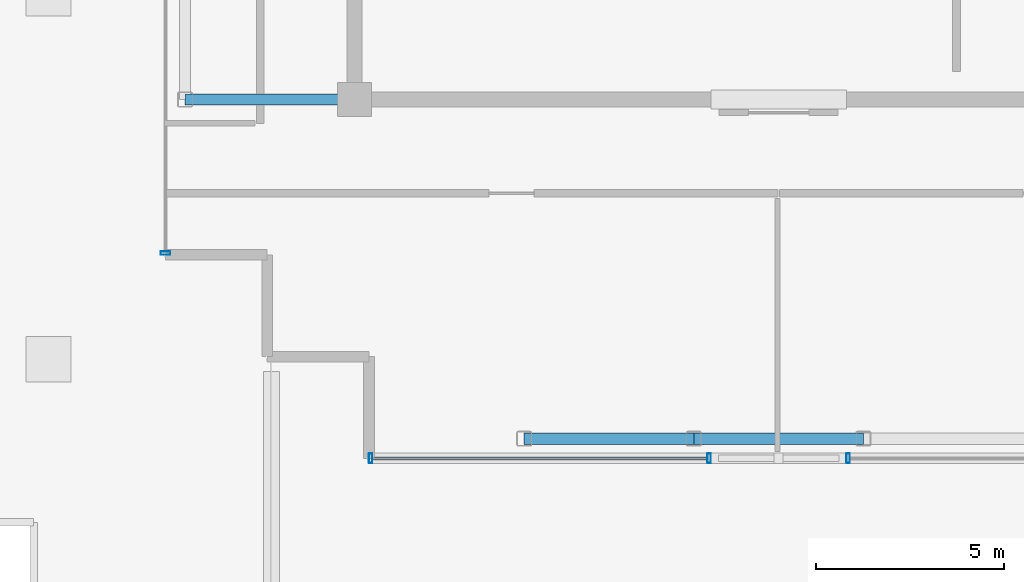
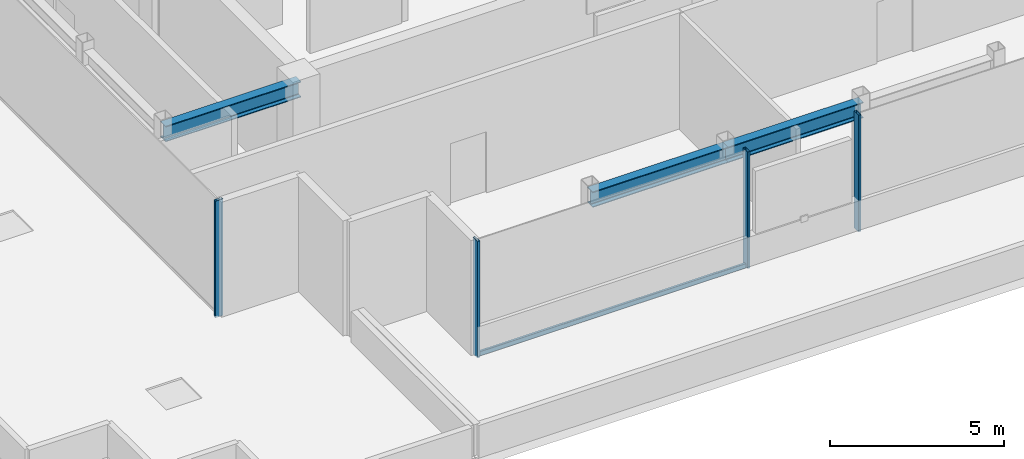
# One storey, part 2 of 14: 5 members, 3 beams, 3 elements without a shape of their own.
"""IFC4 building model written with IfcOpenShell, lengths in metres."""

from ifc_helpers import new_model, si_unit, direction, frame, origin, origin_2d, place, context, subcontext, project, spatial, hollow_rectangle, i_section, extrude, source, transform, mapped, material, layer, layer_set, material_profile, profile_set, type_object, element, aggregate, save


model = new_model("IFC4")

# Units and contexts
model_context = context("Model", 3, precision=1e-05, world=origin(), true_north=direction((0.0, 1.0)))
body_context = subcontext(model_context, "Body", "Model", "MODEL_VIEW")
ifc_project = project(units=[si_unit("LENGTHUNIT", "METRE"), si_unit("AREAUNIT", "SQUARE_METRE"), si_unit("VOLUMEUNIT", "CUBIC_METRE"), si_unit("PLANEANGLEUNIT", "RADIAN"), si_unit("MASSUNIT", "GRAM", prefix="KILO")], contexts=[model_context])

# Site, building, storey
site_placement = place(None, origin())
site = spatial("IfcSite", under=ifc_project, at=site_placement, CompositionType="ELEMENT")
building_placement = place(site_placement, origin())
building = spatial("IfcBuilding", under=site, at=building_placement, Name="Nefas-Gora Pilgrimage Tower", CompositionType="ELEMENT")
storey_placement = place(building_placement, frame((0.0, 0.0, 358.60009765625)))
storey = spatial("IfcBuildingStorey", under=building, at=storey_placement, Name="L90", CompositionType="ELEMENT", Elevation=358.60009765625)

# Beams
ifc_material_1 = material(Name="Steel S355", Category="steel")
ifc_material_profile_1 = material_profile(ifc_material_1, i_section(OverallWidth=0.300048828125, OverallDepth=0.550048828125, WebThickness=0.014892578125, FlangeThickness=0.029052734375, FilletRadius=0.027099609375, at=origin_2d()), Name="HEB 550")
ifc_profile_set_1 = profile_set([ifc_material_profile_1], Name="Steel S355")
beam_type_1 = type_object("IfcBeamType", Name="BM-SPN-HEB400", PredefinedType="SPANDREL", material=ifc_profile_set_1)
shared_shape_1 = source(origin(), body_context, "Body", "SweptSolid", [
    extrude(i_section(OverallWidth=0.300048828125, OverallDepth=0.550048828125, WebThickness=0.014892578125, FlangeThickness=0.029052734375, FilletRadius=0.027099609375, at=origin_2d()), origin(), (0.0, 0.0, 1.0), 4.5),
])
for number, where, z_axis, x_axis, name in (
    (1, (-6.75, -18.0, 3.824951171875), (1.0, 0.0, 0.0), (0.0, 1.0, 0.0), "L90 SP-04 beam"),
    (2, (-2.25, -18.0, 3.824951171875), (1.0, 0.0, 0.0), (0.0, 1.0, 0.0), "L90 SP-04 beam"),
):
    element("IfcBeam", number, at=place(storey_placement, frame(where, z_axis=z_axis, x_axis=x_axis)), inside=storey, type_object=beam_type_1, Name=name, PredefinedType="SPANDREL", context=body_context, shape_type="MappedRepresentation", body=[
        mapped(shared_shape_1, transform((0.0, 0.0, 0.0), x_axis=(1.0, 0.0, 0.0), y_axis=(0.0, 1.0, 0.0), z_axis=(0.0, 0.0, 1.0), scale=1.0)),
    ])
ifc_material_profile_2 = material_profile(ifc_material_1, i_section(OverallWidth=0.300048828125, OverallDepth=0.550048828125, WebThickness=0.014892578125, FlangeThickness=0.029052734375, FilletRadius=0.027099609375, at=origin_2d()), Name="HEB 550")
ifc_profile_set_2 = profile_set([ifc_material_profile_2], Name="Steel S355")
beam_type_2 = type_object("IfcBeamType", Name="BM-GIR-HEB550", PredefinedType="BEAM", material=ifc_profile_set_2)
shared_shape_2 = source(origin(), body_context, "Body", "SweptSolid", [
    extrude(i_section(OverallWidth=0.300048828125, OverallDepth=0.550048828125, WebThickness=0.014892578125, FlangeThickness=0.029052734375, FilletRadius=0.027099609375, at=origin_2d()), origin(), (0.0, 0.0, 1.0), 4.5),
])
beam_placement = place(storey_placement, frame((-15.75, -9.0, 3.824951171875), z_axis=(1.0, 0.0, 0.0), x_axis=(0.0, 1.0, 0.0)))
element("IfcBeam", 3, at=beam_placement, inside=storey, type_object=beam_type_2, Name="L90 G-05 beam", PredefinedType="BEAM", context=body_context, shape_type="MappedRepresentation", body=[
    mapped(shared_shape_2, transform((0.0, 0.0, 0.0), x_axis=(1.0, 0.0, 0.0), y_axis=(0.0, 1.0, 0.0), z_axis=(0.0, 0.0, 1.0), scale=1.0)),
])

# Curtain wall, member
ifc_material_2 = material(Name="Dark ceramic-fritted solar-control aluminium-glass curtain wall", Category="aluminium")
ifc_layer = layer(ifc_material_2, 0.219970703125)
ifc_layer_set = layer_set([ifc_layer], Name="Dark ceramic-fritted solar-control aluminium-glass curtain wall")
curtain_wall_type = type_object("IfcCurtainWallType", Name="CW-SYS-6", PredefinedType="NOTDEFINED", material=ifc_layer_set)
curtain_wall_1_placement = place(storey_placement, origin())
curtain_wall_1 = element("IfcCurtainWall", 4, at=curtain_wall_1_placement, inside=storey, type_object=curtain_wall_type, Name="L90 Unitised Curtain Wall CW6", PredefinedType="NOTDEFINED")
ifc_material_3 = material(Name="Anodised architectural aluminium", Category="aluminium")
ifc_material_profile_3 = material_profile(ifc_material_3, hollow_rectangle(XDim=0.090087890625, YDim=0.260009765625, WallThickness=0.006103515625, InnerFilletRadius=0.006103515625, OuterFilletRadius=0.011962890625, at=origin_2d()), Name="ALU MULLION 90x260")
ifc_profile_set_3 = profile_set([ifc_material_profile_3], Name="Anodised architectural aluminium")
member_type_1 = type_object("IfcMemberType", Name="CWM-MUL-6", PredefinedType="MULLION", material=ifc_profile_set_3)
shared_shape_3 = source(origin(), body_context, "Body", "SweptSolid", [
    extrude(hollow_rectangle(XDim=0.090087890625, YDim=0.260009765625, WallThickness=0.006103515625, InnerFilletRadius=0.006103515625, OuterFilletRadius=0.011962890625, at=origin_2d()), origin(), (0.0, 0.0, 1.0), 4.099853515625),
])
member_1_placement = place(storey_placement, frame((-16.27001953125, -13.074951171875, 0.0), z_axis=(0.0, 0.0, 1.0), x_axis=(0.0, -1.0, 0.0)))
member_1 = element("IfcMember", 5, at=member_1_placement, type_object=member_type_1, Name="CW6 Mullion 2", PredefinedType="MULLION", context=body_context, shape_type="MappedRepresentation", body=[
    mapped(shared_shape_3, transform((0.0, 0.0, 0.0), x_axis=(1.0, 0.0, 0.0), y_axis=(0.0, 1.0, 0.0), z_axis=(0.0, 0.0, 1.0), scale=1.0)),
])
aggregate(curtain_wall_1, [member_1])

# Curtain wall, members
curtain_wall_2_placement = place(storey_placement, origin())
curtain_wall_2 = element("IfcCurtainWall", 6, at=curtain_wall_2_placement, inside=storey, type_object=curtain_wall_type, Name="L90 Unitised Curtain Wall CW6", PredefinedType="NOTDEFINED")
member_2_placement = place(storey_placement, frame((-10.824951171875, -18.52001953125, 0.0), z_axis=(0.0, 0.0, 1.0), x_axis=(1.0, 0.0, 0.0)))
member_2 = element("IfcMember", 7, at=member_2_placement, type_object=member_type_1, Name="CW6 Mullion 1", PredefinedType="MULLION", context=body_context, shape_type="MappedRepresentation", body=[
    mapped(shared_shape_3, transform((0.0, 0.0, 0.0), x_axis=(1.0, 0.0, 0.0), y_axis=(0.0, 1.0, 0.0), z_axis=(0.0, 0.0, 1.0), scale=1.0)),
])
member_3_placement = place(storey_placement, frame((-1.844970703125, -18.52001953125, 0.0), z_axis=(0.0, 0.0, 1.0), x_axis=(1.0, 0.0, 0.0)))
member_3 = element("IfcMember", 8, at=member_3_placement, type_object=member_type_1, Name="CW6 Mullion 2", PredefinedType="MULLION", context=body_context, shape_type="MappedRepresentation", body=[
    mapped(shared_shape_3, transform((0.0, 0.0, 0.0), x_axis=(1.0, 0.0, 0.0), y_axis=(0.0, 1.0, 0.0), z_axis=(0.0, 0.0, 1.0), scale=1.0)),
])

# Curtain wall, member
curtain_wall_3_placement = place(storey_placement, origin())
curtain_wall_3 = element("IfcCurtainWall", 9, at=curtain_wall_3_placement, inside=storey, type_object=curtain_wall_type, Name="L90 Unitised Curtain Wall CW6", PredefinedType="NOTDEFINED")
member_4_placement = place(storey_placement, frame((1.844970703125, -18.52001953125, 0.0), z_axis=(0.0, 0.0, 1.0), x_axis=(1.0, 0.0, 0.0)))
member_4 = element("IfcMember", 10, at=member_4_placement, type_object=member_type_1, Name="CW6 Mullion 1", PredefinedType="MULLION", context=body_context, shape_type="MappedRepresentation", body=[
    mapped(shared_shape_3, transform((0.0, 0.0, 0.0), x_axis=(1.0, 0.0, 0.0), y_axis=(0.0, 1.0, 0.0), z_axis=(0.0, 0.0, 1.0), scale=1.0)),
])
aggregate(curtain_wall_3, [member_4])

# Member
ifc_material_profile_4 = material_profile(ifc_material_3, hollow_rectangle(XDim=0.080078125, YDim=0.159912109375, WallThickness=0.00439453125, InnerFilletRadius=0.00439453125, OuterFilletRadius=0.009033203125, at=origin_2d()), Name="ALU TRANSOM 80x160")
ifc_profile_set_4 = profile_set([ifc_material_profile_4], Name="Anodised architectural aluminium")
member_type_2 = type_object("IfcMemberType", Name="CWM-TRN-6", PredefinedType="USERDEFINED", material=ifc_profile_set_4)
shared_shape_4 = source(origin(), body_context, "Body", "SweptSolid", [
    extrude(hollow_rectangle(XDim=0.080078125, YDim=0.159912109375, WallThickness=0.00439453125, InnerFilletRadius=0.00439453125, OuterFilletRadius=0.009033203125, at=origin_2d()), origin(), (0.0, 0.0, 1.0), 8.89013671875),
])
member_5_placement = place(storey_placement, frame((-10.780029296875, -18.52001953125, 0.0498046875), z_axis=(1.0, 0.0, 0.0), x_axis=(0.0, 1.0, 0.0)))
member_5 = element("IfcMember", 11, at=member_5_placement, type_object=member_type_2, Name="CW6 Spandrel Transom", ObjectType="TRANSOM", PredefinedType="USERDEFINED", context=body_context, shape_type="MappedRepresentation", body=[
    mapped(shared_shape_4, transform((0.0, 0.0, 0.0), x_axis=(1.0, 0.0, 0.0), y_axis=(0.0, 1.0, 0.0), z_axis=(0.0, 0.0, 1.0), scale=1.0)),
])

aggregate(curtain_wall_2, [member_2, member_3, member_5])

save(model, "model.ifc")
